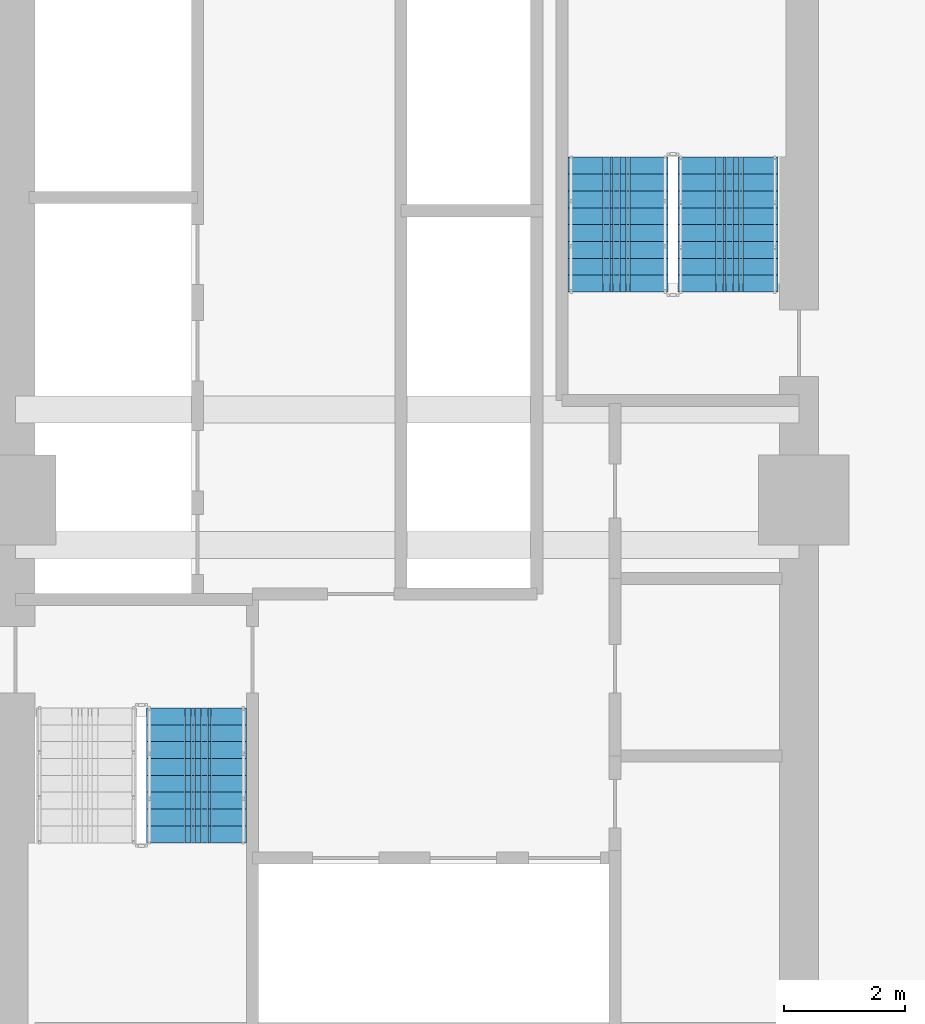
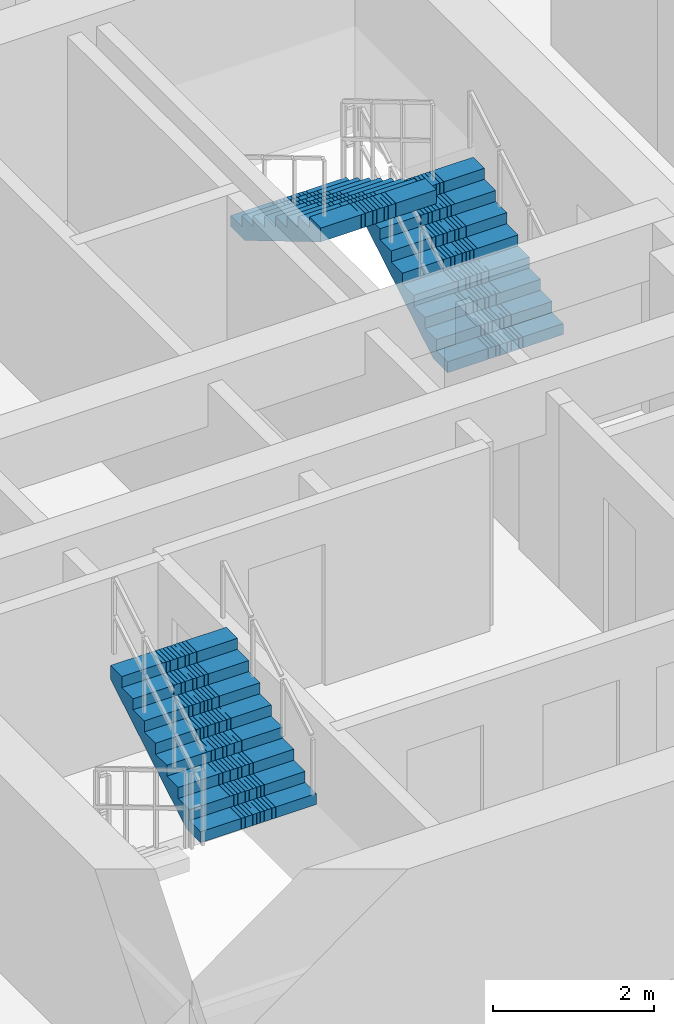
# One storey, part 10 of 16: 3 stair flights, 2 elements without a shape of their own.
"""IFC4 building model written with IfcOpenShell, lengths in metres."""

from ifc_helpers import new_model, si_unit, direction, frame, origin, place, context, subcontext, project, spatial, polyline, outline, extrude, material, type_object, element, aggregate, save


model = new_model("IFC4")

# Units and contexts
model_context = context("Model", 3, precision=1e-05, world=origin(), true_north=direction((0.0, 1.0)))
body_context = subcontext(model_context, "Body", "Model", "MODEL_VIEW")
ifc_project = project(units=[si_unit("LENGTHUNIT", "METRE"), si_unit("AREAUNIT", "SQUARE_METRE"), si_unit("VOLUMEUNIT", "CUBIC_METRE"), si_unit("PLANEANGLEUNIT", "RADIAN"), si_unit("MASSUNIT", "GRAM", prefix="KILO")], contexts=[model_context])

# Site, building, storey
site_placement = place(None, origin())
site = spatial("IfcSite", under=ifc_project, at=site_placement, CompositionType="ELEMENT")
building_placement = place(site_placement, origin())
building = spatial("IfcBuilding", under=site, at=building_placement, Name="Saelheon Loggia Tower", CompositionType="ELEMENT")
storey_placement = place(building_placement, frame((0.0, 0.0, 58.39990234375)))
storey = spatial("IfcBuildingStorey", under=building, at=storey_placement, Name="L18", CompositionType="ELEMENT", Elevation=58.39990234375)

# Stair, stair flight
ifc_material = material(Name="Concrete C40/50", Category="concrete")
stair_type = type_object("IfcStairType", Name="Stair_Escape_Core", PredefinedType="HALF_TURN_STAIR", material=ifc_material)
stair_1_placement = place(storey_placement, origin())
stair_1 = element("IfcStair", 1, at=stair_1_placement, inside=storey, type_object=stair_type, Name="L18 Special Escape Stair ST1", PredefinedType="HALF_TURN_STAIR")
stair_flight_type = type_object("IfcStairFlightType", Name="StairFlight_Tower_1660", PredefinedType="STRAIGHT", material=ifc_material)
stair_flight_1_placement = place(storey_placement, frame((34.5, 21.31005859375, 1.5), z_axis=(0.0, 0.0, 1.0), x_axis=(0.0, 1.0, 0.0)))
stair_flight_1 = element("IfcStairFlight", 2, at=stair_flight_1_placement, type_object=stair_flight_type, Name="ST1 flight 2", NumberOfRisers=9, NumberOfTreads=8, PredefinedType="STRAIGHT", RiserHeight=0.166666667, TreadLength=0.28, context=body_context, shape_type="SweptSolid", body=[
    extrude(outline(polyline([(0.0, 0.0), (0.0, 0.166748046875), (0.280029296875, 0.166748046875), (0.280029296875, 0.333251953125), (0.56005859375, 0.333251953125), (0.56005859375, 0.5), (0.840087890625, 0.5), (0.840087890625, 0.666748046875), (1.1201171875, 0.666748046875), (1.1201171875, 0.833251953125), (1.39990234375, 0.833251953125), (1.39990234375, 1.0), (1.679931640625, 1.0), (1.679931640625, 1.166748046875), (1.9599609375, 1.166748046875), (1.9599609375, 1.333251953125), (2.239990234375, 1.333251953125), (2.239990234375, 1.5), (2.239990234375, 1.1240234375), (0.351806640625, 0.0), (0.0, 0.0)])), frame((0.0, -0.2490234375, 0.0), z_axis=(0.0, -1.0, 0.0), x_axis=(1.0, 0.0, 0.0)), (0.0, 0.0, 1.0), 0.5810546875),
    extrude(outline(polyline([(0.0, 0.0), (0.0, 0.166748046875), (0.280029296875, 0.166748046875), (0.280029296875, 0.333251953125), (0.56005859375, 0.333251953125), (0.56005859375, 0.5), (0.840087890625, 0.5), (0.840087890625, 0.666748046875), (1.1201171875, 0.666748046875), (1.1201171875, 0.833251953125), (1.39990234375, 0.833251953125), (1.39990234375, 1.0), (1.679931640625, 1.0), (1.679931640625, 1.166748046875), (1.9599609375, 1.166748046875), (1.9599609375, 1.333251953125), (2.239990234375, 1.333251953125), (2.239990234375, 1.5), (2.239990234375, 1.1240234375), (0.351806640625, 0.0), (0.0, 0.0)])), frame((0.0, -0.194091796875, 0.0), z_axis=(0.0, -1.0, 0.0), x_axis=(1.0, 0.0, 0.0)), (0.0, 0.0, 1.0), 0.0498046875),
    extrude(outline(polyline([(0.0, 0.0), (0.0, 0.166748046875), (0.280029296875, 0.166748046875), (0.280029296875, 0.333251953125), (0.56005859375, 0.333251953125), (0.56005859375, 0.5), (0.840087890625, 0.5), (0.840087890625, 0.666748046875), (1.1201171875, 0.666748046875), (1.1201171875, 0.833251953125), (1.39990234375, 0.833251953125), (1.39990234375, 1.0), (1.679931640625, 1.0), (1.679931640625, 1.166748046875), (1.9599609375, 1.166748046875), (1.9599609375, 1.333251953125), (2.239990234375, 1.333251953125), (2.239990234375, 1.5), (2.239990234375, 1.1240234375), (0.351806640625, 0.0), (0.0, 0.0)])), frame((0.0, -0.139404296875, 0.0), z_axis=(0.0, -1.0, 0.0), x_axis=(1.0, 0.0, 0.0)), (0.0, 0.0, 1.0), 0.0498046875),
    extrude(outline(polyline([(0.0, 0.0), (0.0, 0.166748046875), (0.280029296875, 0.166748046875), (0.280029296875, 0.333251953125), (0.56005859375, 0.333251953125), (0.56005859375, 0.5), (0.840087890625, 0.5), (0.840087890625, 0.666748046875), (1.1201171875, 0.666748046875), (1.1201171875, 0.833251953125), (1.39990234375, 0.833251953125), (1.39990234375, 1.0), (1.679931640625, 1.0), (1.679931640625, 1.166748046875), (1.9599609375, 1.166748046875), (1.9599609375, 1.333251953125), (2.239990234375, 1.333251953125), (2.239990234375, 1.5), (2.239990234375, 1.1240234375), (0.351806640625, 0.0), (0.0, 0.0)])), frame((0.0, -0.084716796875, 0.0), z_axis=(0.0, -1.0, 0.0), x_axis=(1.0, 0.0, 0.0)), (0.0, 0.0, 1.0), 0.0498046875),
    extrude(outline(polyline([(0.0, 0.0), (0.0, 0.166748046875), (0.280029296875, 0.166748046875), (0.280029296875, 0.333251953125), (0.56005859375, 0.333251953125), (0.56005859375, 0.5), (0.840087890625, 0.5), (0.840087890625, 0.666748046875), (1.1201171875, 0.666748046875), (1.1201171875, 0.833251953125), (1.39990234375, 0.833251953125), (1.39990234375, 1.0), (1.679931640625, 1.0), (1.679931640625, 1.166748046875), (1.9599609375, 1.166748046875), (1.9599609375, 1.333251953125), (2.239990234375, 1.333251953125), (2.239990234375, 1.5), (2.239990234375, 1.1240234375), (0.351806640625, 0.0), (0.0, 0.0)])), frame((0.0, -0.02978515625, 0.0), z_axis=(0.0, -1.0, 0.0), x_axis=(1.0, 0.0, 0.0)), (0.0, 0.0, 1.0), 0.0498046875),
    extrude(outline(polyline([(0.0, 0.0), (0.0, 0.166748046875), (0.280029296875, 0.166748046875), (0.280029296875, 0.333251953125), (0.56005859375, 0.333251953125), (0.56005859375, 0.5), (0.840087890625, 0.5), (0.840087890625, 0.666748046875), (1.1201171875, 0.666748046875), (1.1201171875, 0.833251953125), (1.39990234375, 0.833251953125), (1.39990234375, 1.0), (1.679931640625, 1.0), (1.679931640625, 1.166748046875), (1.9599609375, 1.166748046875), (1.9599609375, 1.333251953125), (2.239990234375, 1.333251953125), (2.239990234375, 1.5), (2.239990234375, 1.1240234375), (0.351806640625, 0.0), (0.0, 0.0)])), frame((0.0, 0.02490234375, 0.0), z_axis=(0.0, -1.0, 0.0), x_axis=(1.0, 0.0, 0.0)), (0.0, 0.0, 1.0), 0.0498046875),
    extrude(outline(polyline([(0.0, 0.0), (0.0, 0.166748046875), (0.280029296875, 0.166748046875), (0.280029296875, 0.333251953125), (0.56005859375, 0.333251953125), (0.56005859375, 0.5), (0.840087890625, 0.5), (0.840087890625, 0.666748046875), (1.1201171875, 0.666748046875), (1.1201171875, 0.833251953125), (1.39990234375, 0.833251953125), (1.39990234375, 1.0), (1.679931640625, 1.0), (1.679931640625, 1.166748046875), (1.9599609375, 1.166748046875), (1.9599609375, 1.333251953125), (2.239990234375, 1.333251953125), (2.239990234375, 1.5), (2.239990234375, 1.1240234375), (0.351806640625, 0.0), (0.0, 0.0)])), frame((0.0, 0.07958984375, 0.0), z_axis=(0.0, -1.0, 0.0), x_axis=(1.0, 0.0, 0.0)), (0.0, 0.0, 1.0), 0.0498046875),
    extrude(outline(polyline([(0.0, 0.0), (0.0, 0.166748046875), (0.280029296875, 0.166748046875), (0.280029296875, 0.333251953125), (0.56005859375, 0.333251953125), (0.56005859375, 0.5), (0.840087890625, 0.5), (0.840087890625, 0.666748046875), (1.1201171875, 0.666748046875), (1.1201171875, 0.833251953125), (1.39990234375, 0.833251953125), (1.39990234375, 1.0), (1.679931640625, 1.0), (1.679931640625, 1.166748046875), (1.9599609375, 1.166748046875), (1.9599609375, 1.333251953125), (2.239990234375, 1.333251953125), (2.239990234375, 1.5), (2.239990234375, 1.1240234375), (0.351806640625, 0.0), (0.0, 0.0)])), frame((0.0, 0.134521484375, 0.0), z_axis=(0.0, -1.0, 0.0), x_axis=(1.0, 0.0, 0.0)), (0.0, 0.0, 1.0), 0.0498046875),
    extrude(outline(polyline([(0.0, 0.0), (0.0, 0.166748046875), (0.280029296875, 0.166748046875), (0.280029296875, 0.333251953125), (0.56005859375, 0.333251953125), (0.56005859375, 0.5), (0.840087890625, 0.5), (0.840087890625, 0.666748046875), (1.1201171875, 0.666748046875), (1.1201171875, 0.833251953125), (1.39990234375, 0.833251953125), (1.39990234375, 1.0), (1.679931640625, 1.0), (1.679931640625, 1.166748046875), (1.9599609375, 1.166748046875), (1.9599609375, 1.333251953125), (2.239990234375, 1.333251953125), (2.239990234375, 1.5), (2.239990234375, 1.1240234375), (0.351806640625, 0.0), (0.0, 0.0)])), frame((0.0, 0.189208984375, 0.0), z_axis=(0.0, -1.0, 0.0), x_axis=(1.0, 0.0, 0.0)), (0.0, 0.0, 1.0), 0.0498046875),
    extrude(outline(polyline([(0.0, 0.0), (0.0, 0.166748046875), (0.280029296875, 0.166748046875), (0.280029296875, 0.333251953125), (0.56005859375, 0.333251953125), (0.56005859375, 0.5), (0.840087890625, 0.5), (0.840087890625, 0.666748046875), (1.1201171875, 0.666748046875), (1.1201171875, 0.833251953125), (1.39990234375, 0.833251953125), (1.39990234375, 1.0), (1.679931640625, 1.0), (1.679931640625, 1.166748046875), (1.9599609375, 1.166748046875), (1.9599609375, 1.333251953125), (2.239990234375, 1.333251953125), (2.239990234375, 1.5), (2.239990234375, 1.1240234375), (0.351806640625, 0.0), (0.0, 0.0)])), frame((0.0, 0.243896484375, 0.0), z_axis=(0.0, -1.0, 0.0), x_axis=(1.0, 0.0, 0.0)), (0.0, 0.0, 1.0), 0.0498046875),
    extrude(outline(polyline([(0.0, 0.0), (0.0, 0.166748046875), (0.280029296875, 0.166748046875), (0.280029296875, 0.333251953125), (0.56005859375, 0.333251953125), (0.56005859375, 0.5), (0.840087890625, 0.5), (0.840087890625, 0.666748046875), (1.1201171875, 0.666748046875), (1.1201171875, 0.833251953125), (1.39990234375, 0.833251953125), (1.39990234375, 1.0), (1.679931640625, 1.0), (1.679931640625, 1.166748046875), (1.9599609375, 1.166748046875), (1.9599609375, 1.333251953125), (2.239990234375, 1.333251953125), (2.239990234375, 1.5), (2.239990234375, 1.1240234375), (0.351806640625, 0.0), (0.0, 0.0)])), frame((0.0, 0.830078125, 0.0), z_axis=(0.0, -1.0, 0.0), x_axis=(1.0, 0.0, 0.0)), (0.0, 0.0, 1.0), 0.5810546875),
])
aggregate(stair_1, [stair_flight_1])

# Stair, stair flights
stair_2_placement = place(storey_placement, origin())
stair_2 = element("IfcStair", 3, at=stair_2_placement, inside=storey, type_object=stair_type, Name="L18 Special Escape Stair ST2", PredefinedType="HALF_TURN_STAIR")
stair_flight_2_placement = place(storey_placement, frame((43.320068359375, 30.449951171875, 0.0), z_axis=(0.0, 0.0, 1.0), x_axis=(0.0, 1.0, 0.0)))
stair_flight_2 = element("IfcStairFlight", 4, at=stair_flight_2_placement, type_object=stair_flight_type, Name="ST2 flight 1", NumberOfRisers=9, NumberOfTreads=8, PredefinedType="STRAIGHT", RiserHeight=0.166666667, TreadLength=0.28, context=body_context, shape_type="SweptSolid", body=[
    extrude(outline(polyline([(0.0, 0.0), (0.0, 0.166748046875), (0.280029296875, 0.166748046875), (0.280029296875, 0.333251953125), (0.56005859375, 0.333251953125), (0.56005859375, 0.5), (0.840087890625, 0.5), (0.840087890625, 0.666748046875), (1.1201171875, 0.666748046875), (1.1201171875, 0.833251953125), (1.39990234375, 0.833251953125), (1.39990234375, 1.0), (1.679931640625, 1.0), (1.679931640625, 1.166748046875), (1.9599609375, 1.166748046875), (1.9599609375, 1.333251953125), (2.239990234375, 1.333251953125), (2.239990234375, 1.5), (2.239990234375, 1.1240234375), (0.351806640625, 0.0), (0.0, 0.0)])), frame((0.0, -0.2490234375, 0.0), z_axis=(0.0, -1.0, 0.0), x_axis=(1.0, 0.0, 0.0)), (0.0, 0.0, 1.0), 0.5810546875),
    extrude(outline(polyline([(0.0, 0.0), (0.0, 0.166748046875), (0.280029296875, 0.166748046875), (0.280029296875, 0.333251953125), (0.56005859375, 0.333251953125), (0.56005859375, 0.5), (0.840087890625, 0.5), (0.840087890625, 0.666748046875), (1.1201171875, 0.666748046875), (1.1201171875, 0.833251953125), (1.39990234375, 0.833251953125), (1.39990234375, 1.0), (1.679931640625, 1.0), (1.679931640625, 1.166748046875), (1.9599609375, 1.166748046875), (1.9599609375, 1.333251953125), (2.239990234375, 1.333251953125), (2.239990234375, 1.5), (2.239990234375, 1.1240234375), (0.351806640625, 0.0), (0.0, 0.0)])), frame((0.0, -0.194091796875, 0.0), z_axis=(0.0, -1.0, 0.0), x_axis=(1.0, 0.0, 0.0)), (0.0, 0.0, 1.0), 0.0498046875),
    extrude(outline(polyline([(0.0, 0.0), (0.0, 0.166748046875), (0.280029296875, 0.166748046875), (0.280029296875, 0.333251953125), (0.56005859375, 0.333251953125), (0.56005859375, 0.5), (0.840087890625, 0.5), (0.840087890625, 0.666748046875), (1.1201171875, 0.666748046875), (1.1201171875, 0.833251953125), (1.39990234375, 0.833251953125), (1.39990234375, 1.0), (1.679931640625, 1.0), (1.679931640625, 1.166748046875), (1.9599609375, 1.166748046875), (1.9599609375, 1.333251953125), (2.239990234375, 1.333251953125), (2.239990234375, 1.5), (2.239990234375, 1.1240234375), (0.351806640625, 0.0), (0.0, 0.0)])), frame((0.0, -0.139404296875, 0.0), z_axis=(0.0, -1.0, 0.0), x_axis=(1.0, 0.0, 0.0)), (0.0, 0.0, 1.0), 0.0498046875),
    extrude(outline(polyline([(0.0, 0.0), (0.0, 0.166748046875), (0.280029296875, 0.166748046875), (0.280029296875, 0.333251953125), (0.56005859375, 0.333251953125), (0.56005859375, 0.5), (0.840087890625, 0.5), (0.840087890625, 0.666748046875), (1.1201171875, 0.666748046875), (1.1201171875, 0.833251953125), (1.39990234375, 0.833251953125), (1.39990234375, 1.0), (1.679931640625, 1.0), (1.679931640625, 1.166748046875), (1.9599609375, 1.166748046875), (1.9599609375, 1.333251953125), (2.239990234375, 1.333251953125), (2.239990234375, 1.5), (2.239990234375, 1.1240234375), (0.351806640625, 0.0), (0.0, 0.0)])), frame((0.0, -0.084716796875, 0.0), z_axis=(0.0, -1.0, 0.0), x_axis=(1.0, 0.0, 0.0)), (0.0, 0.0, 1.0), 0.0498046875),
    extrude(outline(polyline([(0.0, 0.0), (0.0, 0.166748046875), (0.280029296875, 0.166748046875), (0.280029296875, 0.333251953125), (0.56005859375, 0.333251953125), (0.56005859375, 0.5), (0.840087890625, 0.5), (0.840087890625, 0.666748046875), (1.1201171875, 0.666748046875), (1.1201171875, 0.833251953125), (1.39990234375, 0.833251953125), (1.39990234375, 1.0), (1.679931640625, 1.0), (1.679931640625, 1.166748046875), (1.9599609375, 1.166748046875), (1.9599609375, 1.333251953125), (2.239990234375, 1.333251953125), (2.239990234375, 1.5), (2.239990234375, 1.1240234375), (0.351806640625, 0.0), (0.0, 0.0)])), frame((0.0, -0.02978515625, 0.0), z_axis=(0.0, -1.0, 0.0), x_axis=(1.0, 0.0, 0.0)), (0.0, 0.0, 1.0), 0.0498046875),
    extrude(outline(polyline([(0.0, 0.0), (0.0, 0.166748046875), (0.280029296875, 0.166748046875), (0.280029296875, 0.333251953125), (0.56005859375, 0.333251953125), (0.56005859375, 0.5), (0.840087890625, 0.5), (0.840087890625, 0.666748046875), (1.1201171875, 0.666748046875), (1.1201171875, 0.833251953125), (1.39990234375, 0.833251953125), (1.39990234375, 1.0), (1.679931640625, 1.0), (1.679931640625, 1.166748046875), (1.9599609375, 1.166748046875), (1.9599609375, 1.333251953125), (2.239990234375, 1.333251953125), (2.239990234375, 1.5), (2.239990234375, 1.1240234375), (0.351806640625, 0.0), (0.0, 0.0)])), frame((0.0, 0.02490234375, 0.0), z_axis=(0.0, -1.0, 0.0), x_axis=(1.0, 0.0, 0.0)), (0.0, 0.0, 1.0), 0.0498046875),
    extrude(outline(polyline([(0.0, 0.0), (0.0, 0.166748046875), (0.280029296875, 0.166748046875), (0.280029296875, 0.333251953125), (0.56005859375, 0.333251953125), (0.56005859375, 0.5), (0.840087890625, 0.5), (0.840087890625, 0.666748046875), (1.1201171875, 0.666748046875), (1.1201171875, 0.833251953125), (1.39990234375, 0.833251953125), (1.39990234375, 1.0), (1.679931640625, 1.0), (1.679931640625, 1.166748046875), (1.9599609375, 1.166748046875), (1.9599609375, 1.333251953125), (2.239990234375, 1.333251953125), (2.239990234375, 1.5), (2.239990234375, 1.1240234375), (0.351806640625, 0.0), (0.0, 0.0)])), frame((0.0, 0.07958984375, 0.0), z_axis=(0.0, -1.0, 0.0), x_axis=(1.0, 0.0, 0.0)), (0.0, 0.0, 1.0), 0.0498046875),
    extrude(outline(polyline([(0.0, 0.0), (0.0, 0.166748046875), (0.280029296875, 0.166748046875), (0.280029296875, 0.333251953125), (0.56005859375, 0.333251953125), (0.56005859375, 0.5), (0.840087890625, 0.5), (0.840087890625, 0.666748046875), (1.1201171875, 0.666748046875), (1.1201171875, 0.833251953125), (1.39990234375, 0.833251953125), (1.39990234375, 1.0), (1.679931640625, 1.0), (1.679931640625, 1.166748046875), (1.9599609375, 1.166748046875), (1.9599609375, 1.333251953125), (2.239990234375, 1.333251953125), (2.239990234375, 1.5), (2.239990234375, 1.1240234375), (0.351806640625, 0.0), (0.0, 0.0)])), frame((0.0, 0.134521484375, 0.0), z_axis=(0.0, -1.0, 0.0), x_axis=(1.0, 0.0, 0.0)), (0.0, 0.0, 1.0), 0.0498046875),
    extrude(outline(polyline([(0.0, 0.0), (0.0, 0.166748046875), (0.280029296875, 0.166748046875), (0.280029296875, 0.333251953125), (0.56005859375, 0.333251953125), (0.56005859375, 0.5), (0.840087890625, 0.5), (0.840087890625, 0.666748046875), (1.1201171875, 0.666748046875), (1.1201171875, 0.833251953125), (1.39990234375, 0.833251953125), (1.39990234375, 1.0), (1.679931640625, 1.0), (1.679931640625, 1.166748046875), (1.9599609375, 1.166748046875), (1.9599609375, 1.333251953125), (2.239990234375, 1.333251953125), (2.239990234375, 1.5), (2.239990234375, 1.1240234375), (0.351806640625, 0.0), (0.0, 0.0)])), frame((0.0, 0.189208984375, 0.0), z_axis=(0.0, -1.0, 0.0), x_axis=(1.0, 0.0, 0.0)), (0.0, 0.0, 1.0), 0.0498046875),
    extrude(outline(polyline([(0.0, 0.0), (0.0, 0.166748046875), (0.280029296875, 0.166748046875), (0.280029296875, 0.333251953125), (0.56005859375, 0.333251953125), (0.56005859375, 0.5), (0.840087890625, 0.5), (0.840087890625, 0.666748046875), (1.1201171875, 0.666748046875), (1.1201171875, 0.833251953125), (1.39990234375, 0.833251953125), (1.39990234375, 1.0), (1.679931640625, 1.0), (1.679931640625, 1.166748046875), (1.9599609375, 1.166748046875), (1.9599609375, 1.333251953125), (2.239990234375, 1.333251953125), (2.239990234375, 1.5), (2.239990234375, 1.1240234375), (0.351806640625, 0.0), (0.0, 0.0)])), frame((0.0, 0.243896484375, 0.0), z_axis=(0.0, -1.0, 0.0), x_axis=(1.0, 0.0, 0.0)), (0.0, 0.0, 1.0), 0.0498046875),
    extrude(outline(polyline([(0.0, 0.0), (0.0, 0.166748046875), (0.280029296875, 0.166748046875), (0.280029296875, 0.333251953125), (0.56005859375, 0.333251953125), (0.56005859375, 0.5), (0.840087890625, 0.5), (0.840087890625, 0.666748046875), (1.1201171875, 0.666748046875), (1.1201171875, 0.833251953125), (1.39990234375, 0.833251953125), (1.39990234375, 1.0), (1.679931640625, 1.0), (1.679931640625, 1.166748046875), (1.9599609375, 1.166748046875), (1.9599609375, 1.333251953125), (2.239990234375, 1.333251953125), (2.239990234375, 1.5), (2.239990234375, 1.1240234375), (0.351806640625, 0.0), (0.0, 0.0)])), frame((0.0, 0.830078125, 0.0), z_axis=(0.0, -1.0, 0.0), x_axis=(1.0, 0.0, 0.0)), (0.0, 0.0, 1.0), 0.5810546875),
])
stair_flight_3_placement = place(storey_placement, frame((41.5, 32.68994140625, 1.5), z_axis=(0.0, 0.0, 1.0), x_axis=(0.0, -1.0, 0.0)))
stair_flight_3 = element("IfcStairFlight", 5, at=stair_flight_3_placement, type_object=stair_flight_type, Name="ST2 flight 2", NumberOfRisers=9, NumberOfTreads=8, PredefinedType="STRAIGHT", RiserHeight=0.166666667, TreadLength=0.28, context=body_context, shape_type="SweptSolid", body=[
    extrude(outline(polyline([(0.0, 0.0), (0.0, 0.166748046875), (0.280029296875, 0.166748046875), (0.280029296875, 0.333251953125), (0.56005859375, 0.333251953125), (0.56005859375, 0.5), (0.840087890625, 0.5), (0.840087890625, 0.666748046875), (1.1201171875, 0.666748046875), (1.1201171875, 0.833251953125), (1.39990234375, 0.833251953125), (1.39990234375, 1.0), (1.679931640625, 1.0), (1.679931640625, 1.166748046875), (1.9599609375, 1.166748046875), (1.9599609375, 1.333251953125), (2.239990234375, 1.333251953125), (2.239990234375, 1.5), (2.239990234375, 1.1240234375), (0.351806640625, 0.0), (0.0, 0.0)])), frame((0.0, -0.2490234375, 0.0), z_axis=(0.0, -1.0, 0.0), x_axis=(1.0, 0.0, 0.0)), (0.0, 0.0, 1.0), 0.5810546875),
    extrude(outline(polyline([(0.0, 0.0), (0.0, 0.166748046875), (0.280029296875, 0.166748046875), (0.280029296875, 0.333251953125), (0.56005859375, 0.333251953125), (0.56005859375, 0.5), (0.840087890625, 0.5), (0.840087890625, 0.666748046875), (1.1201171875, 0.666748046875), (1.1201171875, 0.833251953125), (1.39990234375, 0.833251953125), (1.39990234375, 1.0), (1.679931640625, 1.0), (1.679931640625, 1.166748046875), (1.9599609375, 1.166748046875), (1.9599609375, 1.333251953125), (2.239990234375, 1.333251953125), (2.239990234375, 1.5), (2.239990234375, 1.1240234375), (0.351806640625, 0.0), (0.0, 0.0)])), frame((0.0, -0.194091796875, 0.0), z_axis=(0.0, -1.0, 0.0), x_axis=(1.0, 0.0, 0.0)), (0.0, 0.0, 1.0), 0.0498046875),
    extrude(outline(polyline([(0.0, 0.0), (0.0, 0.166748046875), (0.280029296875, 0.166748046875), (0.280029296875, 0.333251953125), (0.56005859375, 0.333251953125), (0.56005859375, 0.5), (0.840087890625, 0.5), (0.840087890625, 0.666748046875), (1.1201171875, 0.666748046875), (1.1201171875, 0.833251953125), (1.39990234375, 0.833251953125), (1.39990234375, 1.0), (1.679931640625, 1.0), (1.679931640625, 1.166748046875), (1.9599609375, 1.166748046875), (1.9599609375, 1.333251953125), (2.239990234375, 1.333251953125), (2.239990234375, 1.5), (2.239990234375, 1.1240234375), (0.351806640625, 0.0), (0.0, 0.0)])), frame((0.0, -0.139404296875, 0.0), z_axis=(0.0, -1.0, 0.0), x_axis=(1.0, 0.0, 0.0)), (0.0, 0.0, 1.0), 0.0498046875),
    extrude(outline(polyline([(0.0, 0.0), (0.0, 0.166748046875), (0.280029296875, 0.166748046875), (0.280029296875, 0.333251953125), (0.56005859375, 0.333251953125), (0.56005859375, 0.5), (0.840087890625, 0.5), (0.840087890625, 0.666748046875), (1.1201171875, 0.666748046875), (1.1201171875, 0.833251953125), (1.39990234375, 0.833251953125), (1.39990234375, 1.0), (1.679931640625, 1.0), (1.679931640625, 1.166748046875), (1.9599609375, 1.166748046875), (1.9599609375, 1.333251953125), (2.239990234375, 1.333251953125), (2.239990234375, 1.5), (2.239990234375, 1.1240234375), (0.351806640625, 0.0), (0.0, 0.0)])), frame((0.0, -0.084716796875, 0.0), z_axis=(0.0, -1.0, 0.0), x_axis=(1.0, 0.0, 0.0)), (0.0, 0.0, 1.0), 0.0498046875),
    extrude(outline(polyline([(0.0, 0.0), (0.0, 0.166748046875), (0.280029296875, 0.166748046875), (0.280029296875, 0.333251953125), (0.56005859375, 0.333251953125), (0.56005859375, 0.5), (0.840087890625, 0.5), (0.840087890625, 0.666748046875), (1.1201171875, 0.666748046875), (1.1201171875, 0.833251953125), (1.39990234375, 0.833251953125), (1.39990234375, 1.0), (1.679931640625, 1.0), (1.679931640625, 1.166748046875), (1.9599609375, 1.166748046875), (1.9599609375, 1.333251953125), (2.239990234375, 1.333251953125), (2.239990234375, 1.5), (2.239990234375, 1.1240234375), (0.351806640625, 0.0), (0.0, 0.0)])), frame((0.0, -0.02978515625, 0.0), z_axis=(0.0, -1.0, 0.0), x_axis=(1.0, 0.0, 0.0)), (0.0, 0.0, 1.0), 0.0498046875),
    extrude(outline(polyline([(0.0, 0.0), (0.0, 0.166748046875), (0.280029296875, 0.166748046875), (0.280029296875, 0.333251953125), (0.56005859375, 0.333251953125), (0.56005859375, 0.5), (0.840087890625, 0.5), (0.840087890625, 0.666748046875), (1.1201171875, 0.666748046875), (1.1201171875, 0.833251953125), (1.39990234375, 0.833251953125), (1.39990234375, 1.0), (1.679931640625, 1.0), (1.679931640625, 1.166748046875), (1.9599609375, 1.166748046875), (1.9599609375, 1.333251953125), (2.239990234375, 1.333251953125), (2.239990234375, 1.5), (2.239990234375, 1.1240234375), (0.351806640625, 0.0), (0.0, 0.0)])), frame((0.0, 0.02490234375, 0.0), z_axis=(0.0, -1.0, 0.0), x_axis=(1.0, 0.0, 0.0)), (0.0, 0.0, 1.0), 0.0498046875),
    extrude(outline(polyline([(0.0, 0.0), (0.0, 0.166748046875), (0.280029296875, 0.166748046875), (0.280029296875, 0.333251953125), (0.56005859375, 0.333251953125), (0.56005859375, 0.5), (0.840087890625, 0.5), (0.840087890625, 0.666748046875), (1.1201171875, 0.666748046875), (1.1201171875, 0.833251953125), (1.39990234375, 0.833251953125), (1.39990234375, 1.0), (1.679931640625, 1.0), (1.679931640625, 1.166748046875), (1.9599609375, 1.166748046875), (1.9599609375, 1.333251953125), (2.239990234375, 1.333251953125), (2.239990234375, 1.5), (2.239990234375, 1.1240234375), (0.351806640625, 0.0), (0.0, 0.0)])), frame((0.0, 0.07958984375, 0.0), z_axis=(0.0, -1.0, 0.0), x_axis=(1.0, 0.0, 0.0)), (0.0, 0.0, 1.0), 0.0498046875),
    extrude(outline(polyline([(0.0, 0.0), (0.0, 0.166748046875), (0.280029296875, 0.166748046875), (0.280029296875, 0.333251953125), (0.56005859375, 0.333251953125), (0.56005859375, 0.5), (0.840087890625, 0.5), (0.840087890625, 0.666748046875), (1.1201171875, 0.666748046875), (1.1201171875, 0.833251953125), (1.39990234375, 0.833251953125), (1.39990234375, 1.0), (1.679931640625, 1.0), (1.679931640625, 1.166748046875), (1.9599609375, 1.166748046875), (1.9599609375, 1.333251953125), (2.239990234375, 1.333251953125), (2.239990234375, 1.5), (2.239990234375, 1.1240234375), (0.351806640625, 0.0), (0.0, 0.0)])), frame((0.0, 0.134521484375, 0.0), z_axis=(0.0, -1.0, 0.0), x_axis=(1.0, 0.0, 0.0)), (0.0, 0.0, 1.0), 0.0498046875),
    extrude(outline(polyline([(0.0, 0.0), (0.0, 0.166748046875), (0.280029296875, 0.166748046875), (0.280029296875, 0.333251953125), (0.56005859375, 0.333251953125), (0.56005859375, 0.5), (0.840087890625, 0.5), (0.840087890625, 0.666748046875), (1.1201171875, 0.666748046875), (1.1201171875, 0.833251953125), (1.39990234375, 0.833251953125), (1.39990234375, 1.0), (1.679931640625, 1.0), (1.679931640625, 1.166748046875), (1.9599609375, 1.166748046875), (1.9599609375, 1.333251953125), (2.239990234375, 1.333251953125), (2.239990234375, 1.5), (2.239990234375, 1.1240234375), (0.351806640625, 0.0), (0.0, 0.0)])), frame((0.0, 0.189208984375, 0.0), z_axis=(0.0, -1.0, 0.0), x_axis=(1.0, 0.0, 0.0)), (0.0, 0.0, 1.0), 0.0498046875),
    extrude(outline(polyline([(0.0, 0.0), (0.0, 0.166748046875), (0.280029296875, 0.166748046875), (0.280029296875, 0.333251953125), (0.56005859375, 0.333251953125), (0.56005859375, 0.5), (0.840087890625, 0.5), (0.840087890625, 0.666748046875), (1.1201171875, 0.666748046875), (1.1201171875, 0.833251953125), (1.39990234375, 0.833251953125), (1.39990234375, 1.0), (1.679931640625, 1.0), (1.679931640625, 1.166748046875), (1.9599609375, 1.166748046875), (1.9599609375, 1.333251953125), (2.239990234375, 1.333251953125), (2.239990234375, 1.5), (2.239990234375, 1.1240234375), (0.351806640625, 0.0), (0.0, 0.0)])), frame((0.0, 0.243896484375, 0.0), z_axis=(0.0, -1.0, 0.0), x_axis=(1.0, 0.0, 0.0)), (0.0, 0.0, 1.0), 0.0498046875),
    extrude(outline(polyline([(0.0, 0.0), (0.0, 0.166748046875), (0.280029296875, 0.166748046875), (0.280029296875, 0.333251953125), (0.56005859375, 0.333251953125), (0.56005859375, 0.5), (0.840087890625, 0.5), (0.840087890625, 0.666748046875), (1.1201171875, 0.666748046875), (1.1201171875, 0.833251953125), (1.39990234375, 0.833251953125), (1.39990234375, 1.0), (1.679931640625, 1.0), (1.679931640625, 1.166748046875), (1.9599609375, 1.166748046875), (1.9599609375, 1.333251953125), (2.239990234375, 1.333251953125), (2.239990234375, 1.5), (2.239990234375, 1.1240234375), (0.351806640625, 0.0), (0.0, 0.0)])), frame((0.0, 0.830078125, 0.0), z_axis=(0.0, -1.0, 0.0), x_axis=(1.0, 0.0, 0.0)), (0.0, 0.0, 1.0), 0.5810546875),
])
aggregate(stair_2, [stair_flight_2, stair_flight_3])

save(model, "model.ifc")
